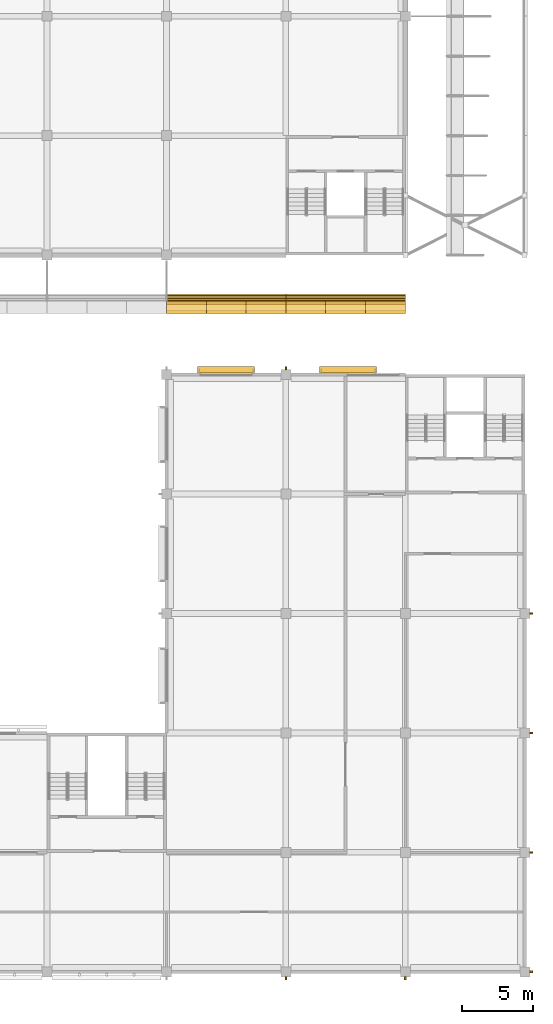
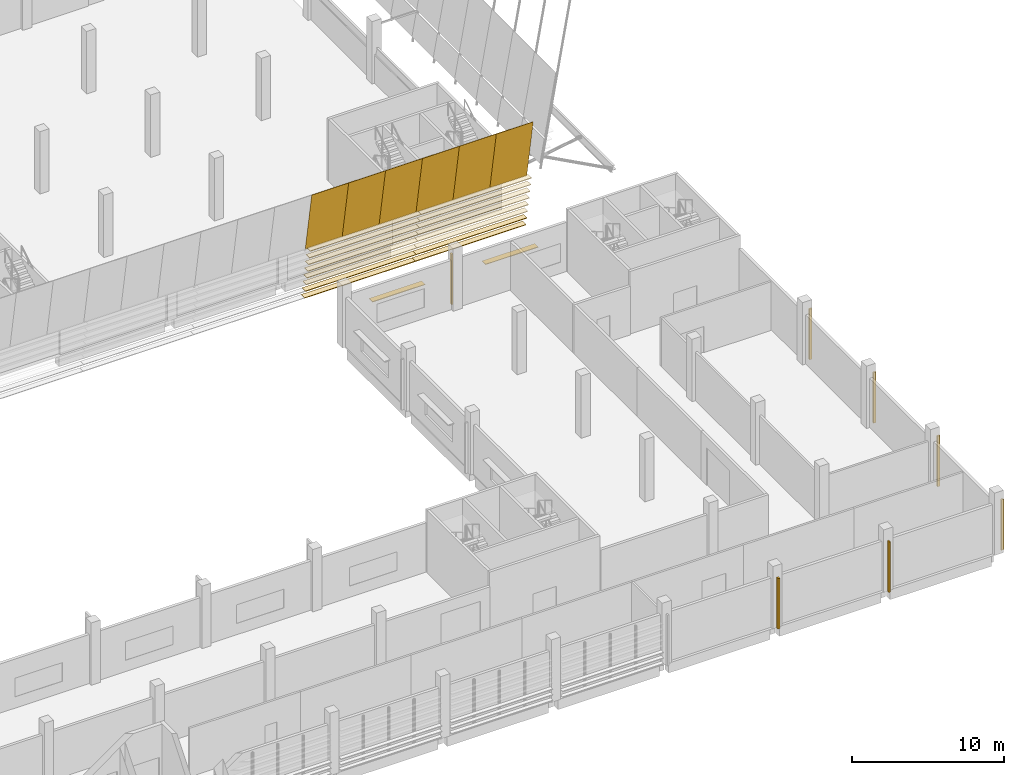
# One storey, part 76 of 82: 22 coverings, 9 shading devices.
"""IFC4 building model written with IfcOpenShell, lengths in metres."""

from ifc_helpers import new_model, si_unit, direction, frame, origin, origin_2d, place, context, subcontext, project, spatial, polyline, rectangle, outline, extrude, material, layer, layer_set, material_profile, profile_set, type_object, element, save


model = new_model("IFC4")

# Units and contexts
model_context = context("Model", 3, precision=1e-05, world=origin(), true_north=direction((0.0, 1.0)))
body_context = subcontext(model_context, "Body", "Model", "MODEL_VIEW")
ifc_project = project(units=[si_unit("LENGTHUNIT", "METRE"), si_unit("AREAUNIT", "SQUARE_METRE"), si_unit("VOLUMEUNIT", "CUBIC_METRE"), si_unit("PLANEANGLEUNIT", "RADIAN"), si_unit("MASSUNIT", "GRAM", prefix="KILO")], contexts=[model_context])

# Site, building, storey
site_placement = place(None, origin())
site = spatial("IfcSite", under=ifc_project, at=site_placement, CompositionType="ELEMENT")
building_placement = place(site_placement, origin())
building = spatial("IfcBuilding", under=site, at=building_placement, Name="Almond Square Museum", CompositionType="ELEMENT")
storey_placement = place(building_placement, frame((0.0, 0.0, 20.0)))
storey = spatial("IfcBuildingStorey", under=building, at=storey_placement, Name="L03", CompositionType="ELEMENT", Elevation=20.0)

# Coverings
ifc_material_1 = material(Name="Cedar timber louvre board", Category="wood")
ifc_material_profile_1 = material_profile(ifc_material_1, rectangle(XDim=0.449951171875, YDim=0.050048828125, at=origin_2d()))
ifc_profile_set_1 = profile_set([ifc_material_profile_1], Name="Cedar timber louvre board")
covering_type_1 = type_object("IfcCoveringType", Name="Louvre board 450 x 50", PredefinedType="CLADDING", material=ifc_profile_set_1)
covering_1_placement = place(storey_placement, frame((132.0, 47.44873046875, 0.5), z_axis=(1.0, 0.0, 0.0), x_axis=(0.0, 1.0, 0.0)))
element("IfcCovering", 1, at=covering_1_placement, inside=storey, type_object=covering_type_1, Name="Louvre board S23.04", PredefinedType="CLADDING", context=body_context, shape_type="SweptSolid", body=[
    extrude(rectangle(XDim=0.449951171875, YDim=0.050048828125, at=origin_2d()), origin(), (0.0, 0.0, 1.0), 8.39990234375),
])
covering_2_placement = place(storey_placement, frame((140.39990234375, 47.44873046875, 0.5), z_axis=(1.0, 0.0, 0.0), x_axis=(0.0, 1.0, 0.0)))
element("IfcCovering", 2, at=covering_2_placement, inside=storey, type_object=covering_type_1, Name="Louvre board S23.05", PredefinedType="CLADDING", context=body_context, shape_type="SweptSolid", body=[
    extrude(rectangle(XDim=0.449951171875, YDim=0.050048828125, at=origin_2d()), origin(), (0.0, 0.0, 1.0), 8.400146484375),
])
covering_3_placement = place(storey_placement, frame((132.0, 47.3427734375, 1.10009765625), z_axis=(1.0, 0.0, 0.0), x_axis=(0.0, 1.0, 0.0)))
element("IfcCovering", 3, at=covering_3_placement, inside=storey, type_object=covering_type_1, Name="Louvre board S24.04", PredefinedType="CLADDING", context=body_context, shape_type="SweptSolid", body=[
    extrude(rectangle(XDim=0.449951171875, YDim=0.050048828125, at=origin_2d()), origin(), (0.0, 0.0, 1.0), 8.39990234375),
])
covering_4_placement = place(storey_placement, frame((140.39990234375, 47.3427734375, 1.10009765625), z_axis=(1.0, 0.0, 0.0), x_axis=(0.0, 1.0, 0.0)))
element("IfcCovering", 4, at=covering_4_placement, inside=storey, type_object=covering_type_1, Name="Louvre board S24.05", PredefinedType="CLADDING", context=body_context, shape_type="SweptSolid", body=[
    extrude(rectangle(XDim=0.449951171875, YDim=0.050048828125, at=origin_2d()), origin(), (0.0, 0.0, 1.0), 8.400146484375),
])
covering_5_placement = place(storey_placement, frame((132.0, 47.237060546875, 1.699951171875), z_axis=(1.0, 0.0, 0.0), x_axis=(0.0, 1.0, 0.0)))
element("IfcCovering", 5, at=covering_5_placement, inside=storey, type_object=covering_type_1, Name="Louvre board S25.04", PredefinedType="CLADDING", context=body_context, shape_type="SweptSolid", body=[
    extrude(rectangle(XDim=0.449951171875, YDim=0.050048828125, at=origin_2d()), origin(), (0.0, 0.0, 1.0), 8.39990234375),
])
covering_6_placement = place(storey_placement, frame((140.39990234375, 47.237060546875, 1.699951171875), z_axis=(1.0, 0.0, 0.0), x_axis=(0.0, 1.0, 0.0)))
element("IfcCovering", 6, at=covering_6_placement, inside=storey, type_object=covering_type_1, Name="Louvre board S25.05", PredefinedType="CLADDING", context=body_context, shape_type="SweptSolid", body=[
    extrude(rectangle(XDim=0.449951171875, YDim=0.050048828125, at=origin_2d()), origin(), (0.0, 0.0, 1.0), 8.400146484375),
])
covering_7_placement = place(storey_placement, frame((132.0, 47.13134765625, 2.300048828125), z_axis=(1.0, 0.0, 0.0), x_axis=(0.0, 1.0, 0.0)))
element("IfcCovering", 7, at=covering_7_placement, inside=storey, type_object=covering_type_1, Name="Louvre board S26.04", PredefinedType="CLADDING", context=body_context, shape_type="SweptSolid", body=[
    extrude(rectangle(XDim=0.449951171875, YDim=0.050048828125, at=origin_2d()), origin(), (0.0, 0.0, 1.0), 8.39990234375),
])
covering_8_placement = place(storey_placement, frame((140.39990234375, 47.13134765625, 2.300048828125), z_axis=(1.0, 0.0, 0.0), x_axis=(0.0, 1.0, 0.0)))
element("IfcCovering", 8, at=covering_8_placement, inside=storey, type_object=covering_type_1, Name="Louvre board S26.05", PredefinedType="CLADDING", context=body_context, shape_type="SweptSolid", body=[
    extrude(rectangle(XDim=0.449951171875, YDim=0.050048828125, at=origin_2d()), origin(), (0.0, 0.0, 1.0), 8.400146484375),
])
covering_9_placement = place(storey_placement, frame((132.0, 47.025390625, 2.89990234375), z_axis=(1.0, 0.0, 0.0), x_axis=(0.0, 1.0, 0.0)))
element("IfcCovering", 9, at=covering_9_placement, inside=storey, type_object=covering_type_1, Name="Louvre board S27.04", PredefinedType="CLADDING", context=body_context, shape_type="SweptSolid", body=[
    extrude(rectangle(XDim=0.449951171875, YDim=0.050048828125, at=origin_2d()), origin(), (0.0, 0.0, 1.0), 8.39990234375),
])
covering_10_placement = place(storey_placement, frame((140.39990234375, 47.025390625, 2.89990234375), z_axis=(1.0, 0.0, 0.0), x_axis=(0.0, 1.0, 0.0)))
element("IfcCovering", 10, at=covering_10_placement, inside=storey, type_object=covering_type_1, Name="Louvre board S27.05", PredefinedType="CLADDING", context=body_context, shape_type="SweptSolid", body=[
    extrude(rectangle(XDim=0.449951171875, YDim=0.050048828125, at=origin_2d()), origin(), (0.0, 0.0, 1.0), 8.400146484375),
])
covering_11_placement = place(storey_placement, frame((132.0, 46.919677734375, 3.5), z_axis=(1.0, 0.0, 0.0), x_axis=(0.0, 1.0, 0.0)))
element("IfcCovering", 11, at=covering_11_placement, inside=storey, type_object=covering_type_1, Name="Louvre board S28.04", PredefinedType="CLADDING", context=body_context, shape_type="SweptSolid", body=[
    extrude(rectangle(XDim=0.449951171875, YDim=0.050048828125, at=origin_2d()), origin(), (0.0, 0.0, 1.0), 8.39990234375),
])
covering_12_placement = place(storey_placement, frame((140.39990234375, 46.919677734375, 3.5), z_axis=(1.0, 0.0, 0.0), x_axis=(0.0, 1.0, 0.0)))
element("IfcCovering", 12, at=covering_12_placement, inside=storey, type_object=covering_type_1, Name="Louvre board S28.05", PredefinedType="CLADDING", context=body_context, shape_type="SweptSolid", body=[
    extrude(rectangle(XDim=0.449951171875, YDim=0.050048828125, at=origin_2d()), origin(), (0.0, 0.0, 1.0), 8.400146484375),
])
covering_13_placement = place(storey_placement, frame((132.0, 46.81396484375, 4.10009765625), z_axis=(1.0, 0.0, 0.0), x_axis=(0.0, 1.0, 0.0)))
element("IfcCovering", 13, at=covering_13_placement, inside=storey, type_object=covering_type_1, Name="Louvre board S29.04", PredefinedType="CLADDING", context=body_context, shape_type="SweptSolid", body=[
    extrude(rectangle(XDim=0.449951171875, YDim=0.050048828125, at=origin_2d()), origin(), (0.0, 0.0, 1.0), 8.39990234375),
])
covering_14_placement = place(storey_placement, frame((140.39990234375, 46.81396484375, 4.10009765625), z_axis=(1.0, 0.0, 0.0), x_axis=(0.0, 1.0, 0.0)))
element("IfcCovering", 14, at=covering_14_placement, inside=storey, type_object=covering_type_1, Name="Louvre board S29.05", PredefinedType="CLADDING", context=body_context, shape_type="SweptSolid", body=[
    extrude(rectangle(XDim=0.449951171875, YDim=0.050048828125, at=origin_2d()), origin(), (0.0, 0.0, 1.0), 8.400146484375),
])
covering_15_placement = place(storey_placement, frame((132.0, 46.7080078125, 4.699951171875), z_axis=(1.0, 0.0, 0.0), x_axis=(0.0, 1.0, 0.0)))
element("IfcCovering", 15, at=covering_15_placement, inside=storey, type_object=covering_type_1, Name="Louvre board S30.04", PredefinedType="CLADDING", context=body_context, shape_type="SweptSolid", body=[
    extrude(rectangle(XDim=0.449951171875, YDim=0.050048828125, at=origin_2d()), origin(), (0.0, 0.0, 1.0), 8.39990234375),
])
covering_16_placement = place(storey_placement, frame((140.39990234375, 46.7080078125, 4.699951171875), z_axis=(1.0, 0.0, 0.0), x_axis=(0.0, 1.0, 0.0)))
element("IfcCovering", 16, at=covering_16_placement, inside=storey, type_object=covering_type_1, Name="Louvre board S30.05", PredefinedType="CLADDING", context=body_context, shape_type="SweptSolid", body=[
    extrude(rectangle(XDim=0.449951171875, YDim=0.050048828125, at=origin_2d()), origin(), (0.0, 0.0, 1.0), 8.400146484375),
])
ifc_material_2 = material(Name="Cedar timber sheathing panel", Category="wood")
ifc_layer = layer(ifc_material_2, 0.030029296875)
ifc_layer_set = layer_set([ifc_layer], Name="Cedar timber sheathing panel")
covering_type_2 = type_object("IfcCoveringType", Name="Louvre rain-screen backing panel 30", PredefinedType="CLADDING", material=ifc_layer_set)
for number, where, z_axis, x_axis, name in (
    (17, (132.0, 47.15380859375, 4.469970703125), (0.0, -0.984808947576, -0.173641402823), (1.0, 0.0, 0.0), "Louvre rain-screen backing panel S10.06"),
    (18, (134.800048828125, 47.15380859375, 4.469970703125), (0.0, -0.984808947576, -0.173641402823), (1.0, 0.0, 0.0), "Louvre rain-screen backing panel S11.06"),
):
    element("IfcCovering", number, at=place(storey_placement, frame(where, z_axis=z_axis, x_axis=x_axis)), inside=storey, type_object=covering_type_2, Name=name, PredefinedType="CLADDING", context=body_context, shape_type="SweptSolid", body=[
        extrude(outline(polyline([(0.0, 0.0), (2.800048828125, 0.0), (2.800048828125, 4.935076426587713), (0.0, 4.935076426587713), (0.0, 0.0)])), frame((0.0, 0.0, -0.01513671875)), (0.0, 0.0, 1.0), 0.030029296875),
    ])
covering_17_placement = place(storey_placement, frame((137.60009765625, 47.15380859375, 4.469970703125), z_axis=(0.0, -0.984808947576, -0.173641402823), x_axis=(1.0, 0.0, 0.0)))
element("IfcCovering", 19, at=covering_17_placement, inside=storey, type_object=covering_type_2, Name="Louvre rain-screen backing panel S12.06", PredefinedType="CLADDING", context=body_context, shape_type="SweptSolid", body=[
    extrude(outline(polyline([(0.0, 0.0), (2.7998046875, 0.0), (2.7998046875, 4.935076426587713), (0.0, 4.935076426587713), (0.0, 0.0)])), frame((0.0, 0.0, -0.01513671875)), (0.0, 0.0, 1.0), 0.030029296875),
])
for number, where, z_axis, x_axis, name in (
    (20, (140.39990234375, 47.15380859375, 4.469970703125), (0.0, -0.984808947576, -0.173641402823), (1.0, 0.0, 0.0), "Louvre rain-screen backing panel S13.06"),
    (21, (143.199951171875, 47.15380859375, 4.469970703125), (0.0, -0.984808947576, -0.173641402823), (1.0, 0.0, 0.0), "Louvre rain-screen backing panel S14.06"),
    (22, (146.0, 47.15380859375, 4.469970703125), (0.0, -0.984808947576, -0.173641402823), (1.0, 0.0, 0.0), "Louvre rain-screen backing panel S15.06"),
):
    element("IfcCovering", number, at=place(storey_placement, frame(where, z_axis=z_axis, x_axis=x_axis)), inside=storey, type_object=covering_type_2, Name=name, PredefinedType="CLADDING", context=body_context, shape_type="SweptSolid", body=[
        extrude(outline(polyline([(0.0, 0.0), (2.800048828125, 0.0), (2.800048828125, 4.935076426587713), (0.0, 4.935076426587713), (0.0, 0.0)])), frame((0.0, 0.0, -0.01513671875)), (0.0, 0.0, 1.0), 0.030029296875),
    ])

# Shading devices
ifc_material_3 = material(Name="Anodised aluminium", Category="aluminium")
ifc_material_profile_2 = material_profile(ifc_material_3, rectangle(XDim=0.449951171875, YDim=0.050048828125, at=origin_2d()))
ifc_profile_set_2 = profile_set([ifc_material_profile_2], Name="Anodised aluminium")
shading_device_type_1 = type_object("IfcShadingDeviceType", Name="Sun-shade blade 450 x 50", PredefinedType="USERDEFINED", material=ifc_profile_set_2)
for number, where, z_axis, x_axis, name in (
    (23, (142.77490234375, 42.3330078125, 2.52001953125), (1.0, 0.0, 0.0), (0.0, 1.0, 0.0), "Sun-shade blade"),
    (24, (134.199951171875, 42.3330078125, 2.52001953125), (1.0, 0.0, 0.0), (0.0, 1.0, 0.0), "Sun-shade blade"),
):
    element("IfcShadingDevice", number, at=place(storey_placement, frame(where, z_axis=z_axis, x_axis=x_axis)), inside=storey, type_object=shading_device_type_1, Name=name, ObjectType="LOUVRE", PredefinedType="USERDEFINED", context=body_context, shape_type="SweptSolid", body=[
        extrude(rectangle(XDim=0.449951171875, YDim=0.050048828125, at=origin_2d()), origin(), (0.0, 0.0, 1.0), 4.0),
    ])
ifc_material_4 = material(Name="Anodised aluminium", Category="aluminium")
ifc_material_profile_3 = material_profile(ifc_material_4, rectangle(XDim=0.199951171875, YDim=0.1201171875, at=origin_2d()))
ifc_profile_set_3 = profile_set([ifc_material_profile_3], Name="Anodised aluminium")
shading_device_type_2 = type_object("IfcShadingDeviceType", Name="Vertical aluminium fin 200 x 120", PredefinedType="USERDEFINED", material=ifc_profile_set_3)
for number, where, z_axis, x_axis, name in (
    (25, (140.39990234375, -0.447998046875, 0.0), (0.0, 0.0, 1.0), (0.0, -1.0, 0.0), "Vertical fin V5E L03 S02"),
    (26, (148.800048828125, -0.447998046875, 0.0), (0.0, 0.0, 1.0), (0.0, -1.0, 0.0), "Vertical fin V5E L03 S03"),
    (27, (157.64794921875, 0.0, 0.0), (0.0, 0.0, 1.0), (1.0, 0.0, 0.0), "Vertical fin V5E L03 E01"),
    (28, (157.64794921875, 8.39990234375, 0.0), (0.0, 0.0, 1.0), (1.0, 0.0, 0.0), "Vertical fin V5E L03 E02"),
    (29, (157.64794921875, 16.800048828125, 0.0), (0.0, 0.0, 1.0), (1.0, 0.0, 0.0), "Vertical fin V5E L03 E03"),
    (30, (157.64794921875, 25.199951171875, 0.0), (0.0, 0.0, 1.0), (1.0, 0.0, 0.0), "Vertical fin V5E L03 E04"),
    (31, (140.39990234375, 42.447998046875, 0.0), (0.0, 0.0, 1.0), (0.0, 1.0, 0.0), "Vertical fin V5E L03 N01"),
):
    element("IfcShadingDevice", number, at=place(storey_placement, frame(where, z_axis=z_axis, x_axis=x_axis)), inside=storey, type_object=shading_device_type_2, Name=name, ObjectType="FIN", PredefinedType="USERDEFINED", context=body_context, shape_type="SweptSolid", body=[
        extrude(rectangle(XDim=0.199951171875, YDim=0.1201171875, at=origin_2d()), origin(), (0.0, 0.0, 1.0), 4.050048828125),
    ])

save(model, "model.ifc")
